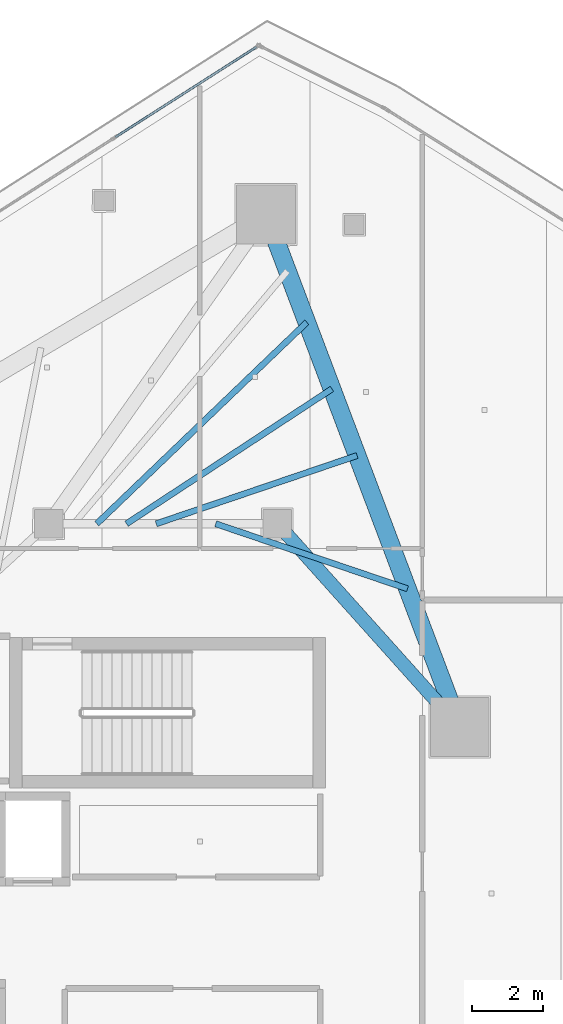
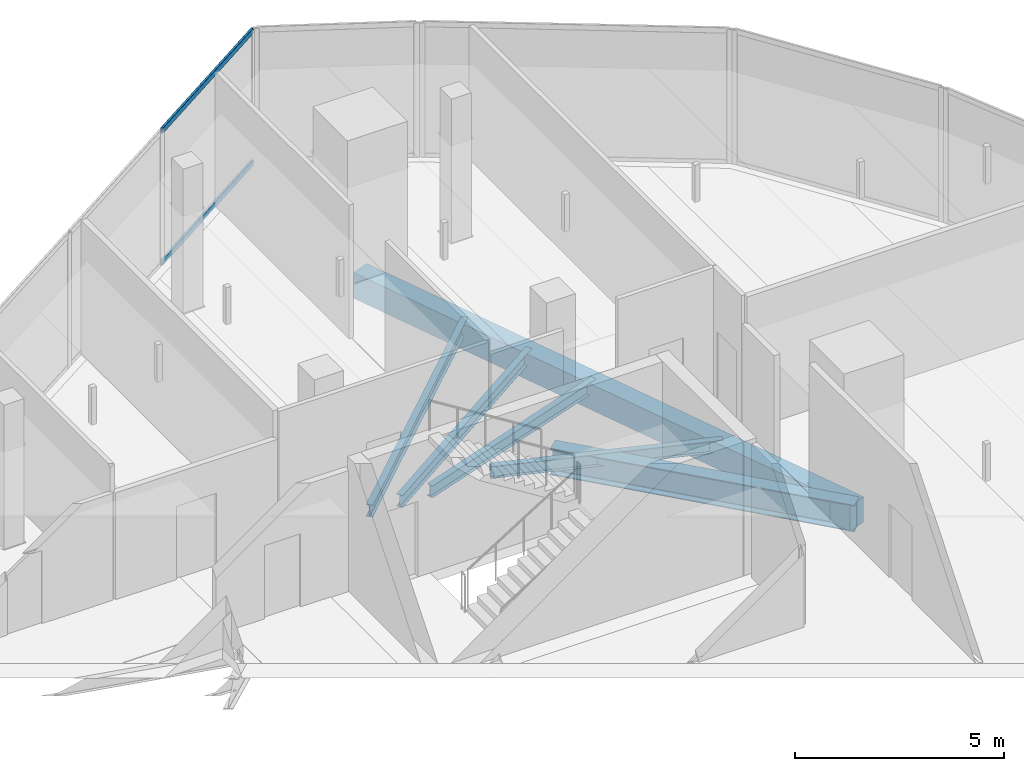
# One storey, part 19 of 33: 6 beams, 2 members, 1 element without a shape of its own.
"""IFC4 building model written with IfcOpenShell, lengths in metres."""

from ifc_helpers import new_model, si_unit, direction, frame, origin, origin_2d, place, context, subcontext, project, spatial, rectangle, hollow_rectangle, i_section, extrude, material, layer, layer_set, material_profile, profile_set, type_object, element, aggregate, save


model = new_model("IFC4")

# Units and contexts
model_context = context("Model", 3, precision=1e-05, world=origin(), true_north=direction((0.0, 1.0)))
body_context = subcontext(model_context, "Body", "Model", "MODEL_VIEW")
ifc_project = project(units=[si_unit("LENGTHUNIT", "METRE"), si_unit("AREAUNIT", "SQUARE_METRE"), si_unit("VOLUMEUNIT", "CUBIC_METRE"), si_unit("PLANEANGLEUNIT", "RADIAN"), si_unit("MASSUNIT", "GRAM", prefix="KILO")], contexts=[model_context])

# Site, building, storey
site_placement = place(None, origin())
site = spatial("IfcSite", under=ifc_project, at=site_placement, CompositionType="ELEMENT")
building_placement = place(site_placement, origin())
building = spatial("IfcBuilding", under=site, at=building_placement, Name="Qorvath Tower", CompositionType="ELEMENT")
storey_placement = place(building_placement, frame((0.0, 0.0, 280.800048828125)))
storey = spatial("IfcBuildingStorey", under=building, at=storey_placement, Name="L65", CompositionType="ELEMENT", Elevation=280.800048828125)

# Beams
ifc_material_1 = material(Name="Steel ASTM A992 Grade 50", Category="steel")
ifc_material_profile_1 = material_profile(ifc_material_1, i_section(OverallWidth=0.381103515625, OverallDepth=0.77294921875, WebThickness=0.0166015625, FlangeThickness=0.027099609375, FilletRadius=0.01904296875, at=origin_2d()), Name="W30x173")
ifc_profile_set_1 = profile_set([ifc_material_profile_1], Name="Steel ASTM A992 Grade 50")
beam_type_1 = type_object("IfcBeamType", Name="BM-FG3", PredefinedType="BEAM", material=ifc_profile_set_1)
beam_1_placement = place(storey_placement, frame((-17.199951171875, 11.449951171875, -0.676513671875), z_axis=(0.667543184261, -0.744571082669, 0.0), x_axis=(0.744571082669, 0.667543184261, 0.0)))
element("IfcBeam", 1, at=beam_1_placement, inside=storey, type_object=beam_type_1, Name="Radial Floor Girder CC2-MC5 L65", PredefinedType="BEAM", context=body_context, shape_type="SweptSolid", body=[
    extrude(i_section(OverallWidth=0.381103515625, OverallDepth=0.77294921875, WebThickness=0.0166015625, FlangeThickness=0.027099609375, FilletRadius=0.01904296875, at=origin_2d()), origin(), (0.0, 0.0, 1.0), 7.644775390625),
])
ifc_material_2 = material(Name="Steel ASTM A992 Grade 50", Category="steel")
ifc_material_profile_2 = material_profile(ifc_material_2, i_section(OverallWidth=0.1708984375, OverallDepth=0.35107421875, WebThickness=0.0068359375, FlangeThickness=0.009765625, FilletRadius=0.010009765625, at=origin_2d()), Name="W14x30")
ifc_profile_set_2 = profile_set([ifc_material_profile_2], Name="Steel ASTM A992 Grade 50")
beam_type_2 = type_object("IfcBeamType", Name="BM-FJ4", PredefinedType="JOIST", material=ifc_profile_set_2)
beam_2_placement = place(storey_placement, frame((-18.927978515625, 11.449951171875, -0.465576171875), z_axis=(0.947086298547, -0.32097903842, 0.0), x_axis=(0.32097903842, 0.947086298547, 0.0)))
element("IfcBeam", 2, at=beam_2_placement, inside=storey, type_object=beam_type_2, Name="Composite Floor Joist NE2 L65", PredefinedType="JOIST", context=body_context, shape_type="SweptSolid", body=[
    extrude(i_section(OverallWidth=0.1708984375, OverallDepth=0.35107421875, WebThickness=0.0068359375, FlangeThickness=0.009765625, FilletRadius=0.010009765625, at=origin_2d()), origin(), (0.0, 0.0, 1.0), 5.66796875),
])
beam_3_placement = place(storey_placement, frame((-20.592041015625, 11.449951171875, -0.465576171875), z_axis=(0.946863164885, 0.321636669216, 0.0), x_axis=(-0.321636669216, 0.946863164885, 0.0)))
element("IfcBeam", 3, at=beam_3_placement, inside=storey, type_object=beam_type_2, Name="Composite Floor Joist NE4 L65", PredefinedType="JOIST", context=body_context, shape_type="SweptSolid", body=[
    extrude(i_section(OverallWidth=0.1708984375, OverallDepth=0.35107421875, WebThickness=0.0068359375, FlangeThickness=0.009765625, FilletRadius=0.010009765625, at=origin_2d()), origin(), (0.0, 0.0, 1.0), 5.93896484375),
])
beam_4_placement = place(storey_placement, frame((-21.424072265625, 11.449951171875, -0.465576171875), z_axis=(0.835992964387, 0.548740160272, 0.0), x_axis=(-0.548740160272, 0.835992964387, 0.0)))
element("IfcBeam", 4, at=beam_4_placement, inside=storey, type_object=beam_type_2, Name="Composite Floor Joist NE5 L65", PredefinedType="JOIST", context=body_context, shape_type="SweptSolid", body=[
    extrude(i_section(OverallWidth=0.1708984375, OverallDepth=0.35107421875, WebThickness=0.0068359375, FlangeThickness=0.009765625, FilletRadius=0.010009765625, at=origin_2d()), origin(), (0.0, 0.0, 1.0), 6.879150390625),
])
beam_5_placement = place(storey_placement, frame((-22.256103515625, 11.449951171875, -0.465576171875), z_axis=(0.721625044611, 0.692284114356, 0.0), x_axis=(-0.692284114356, 0.721625044611, 0.0)))
element("IfcBeam", 5, at=beam_5_placement, inside=storey, type_object=beam_type_2, Name="Composite Floor Joist NE6 L65", PredefinedType="JOIST", context=body_context, shape_type="SweptSolid", body=[
    extrude(i_section(OverallWidth=0.1708984375, OverallDepth=0.35107421875, WebThickness=0.0068359375, FlangeThickness=0.009765625, FilletRadius=0.010009765625, at=origin_2d()), origin(), (0.0, 0.0, 1.0), 8.14599609375),
])
ifc_material_3 = material(Name="Concrete C45/55", Category="concrete")
ifc_material_profile_3 = material_profile(ifc_material_3, rectangle(XDim=0.5, YDim=0.75, at=origin_2d()), Name="RCB 750x500")
ifc_profile_set_3 = profile_set([ifc_material_profile_3], Name="Concrete C45/55")
beam_type_3 = type_object("IfcBeamType", Name="BM-RCB3", PredefinedType="SPANDREL", material=ifc_profile_set_3)
beam_6_placement = place(storey_placement, frame((-12.0966796875, 5.7578125, -0.6650390625), z_axis=(-0.353397781952, 0.935473146441, 0.0), x_axis=(-0.935473146441, -0.353397781952, 0.0)))
element("IfcBeam", 6, at=beam_6_placement, inside=storey, type_object=beam_type_3, Name="Perimeter Loggia Frame Beam MC5-MC6 L65", PredefinedType="SPANDREL", context=body_context, shape_type="SweptSolid", body=[
    extrude(rectangle(XDim=0.5, YDim=0.75, at=origin_2d()), origin(), (0.0, 0.0, 1.0), 15.333251953125),
])

# Curtain wall, members
ifc_material_4 = material(Name="Anodised aluminium and triple low-E glass", Category="aluminium")
ifc_layer = layer(ifc_material_4, 0.179931640625)
ifc_layer_set = layer_set([ifc_layer], Name="CW-SYS-4")
curtain_wall_type = type_object("IfcCurtainWallType", Name="CW-SYS-4", PredefinedType="NOTDEFINED", material=ifc_layer_set)
curtain_wall_placement = place(storey_placement, origin())
curtain_wall = element("IfcCurtainWall", 7, at=curtain_wall_placement, inside=storey, type_object=curtain_wall_type, Name="Curtain Wall CW-4 CW-T-L65-16.1", PredefinedType="NOTDEFINED")
ifc_material_5 = material(Name="Anodised aluminium 6063-T6", Category="aluminium")
ifc_material_profile_4 = material_profile(ifc_material_5, hollow_rectangle(XDim=0.06494140625, YDim=0.159912109375, WallThickness=0.00341796875, InnerFilletRadius=0.00341796875, OuterFilletRadius=0.007080078125, at=origin_2d()), Name="CWT 160x65")
ifc_profile_set_4 = profile_set([ifc_material_profile_4], Name="Anodised aluminium 6063-T6")
member_type = type_object("IfcMemberType", Name="CWT-160", PredefinedType="USERDEFINED", material=ifc_profile_set_4)
member_1_placement = place(storey_placement, frame((-17.783935546875, 24.797607421875, 0.032470703125), z_axis=(-0.842591885515, -0.538552610675, 0.0), x_axis=(0.538552610675, -0.842591885515, 0.0)))
member_1 = element("IfcMember", 8, at=member_1_placement, type_object=member_type, Name="CW-4 transom 1.1", ObjectType="TRANSOM", PredefinedType="USERDEFINED", context=body_context, shape_type="SweptSolid", body=[
    extrude(hollow_rectangle(XDim=0.06494140625, YDim=0.159912109375, WallThickness=0.00341796875, InnerFilletRadius=0.00341796875, OuterFilletRadius=0.007080078125, at=origin_2d()), origin(), (0.0, 0.0, 1.0), 4.687744140625),
])
member_2_placement = place(storey_placement, frame((-17.783935546875, 24.797607421875, 3.87744140625), z_axis=(-0.842591885515, -0.538552610675, 0.0), x_axis=(0.538552610675, -0.842591885515, 0.0)))
member_2 = element("IfcMember", 9, at=member_2_placement, type_object=member_type, Name="CW-4 transom 1.2", ObjectType="TRANSOM", PredefinedType="USERDEFINED", context=body_context, shape_type="SweptSolid", body=[
    extrude(hollow_rectangle(XDim=0.06494140625, YDim=0.159912109375, WallThickness=0.00341796875, InnerFilletRadius=0.00341796875, OuterFilletRadius=0.007080078125, at=origin_2d()), origin(), (0.0, 0.0, 1.0), 4.687744140625),
])
aggregate(curtain_wall, [member_1, member_2])

save(model, "model.ifc")
